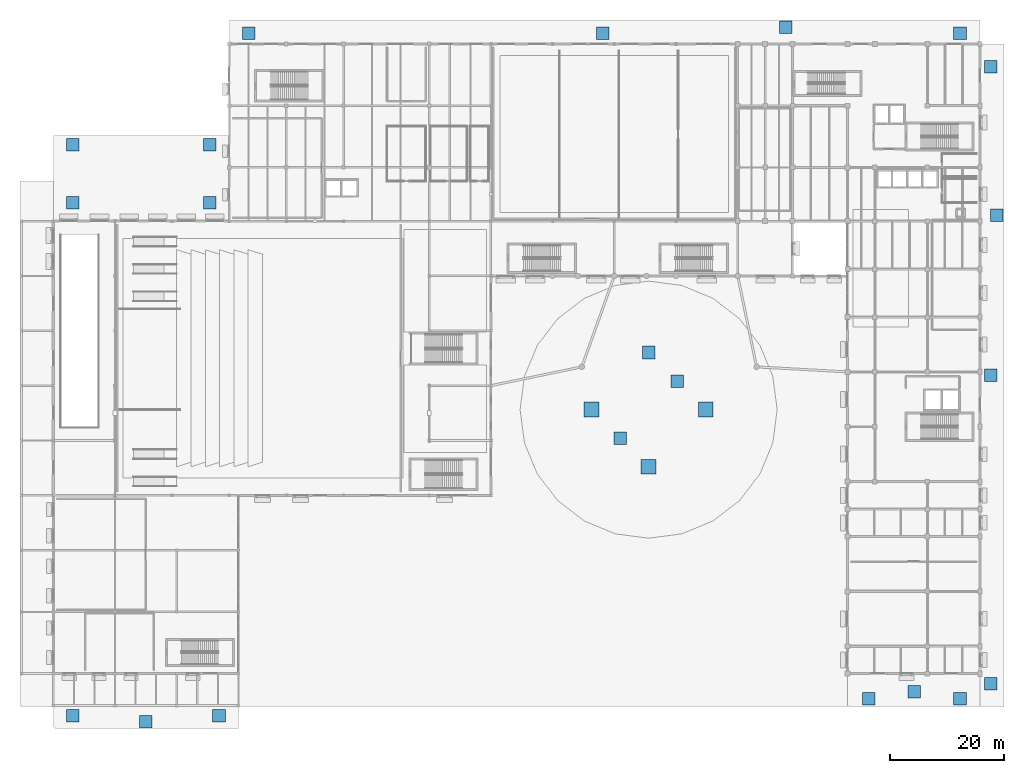
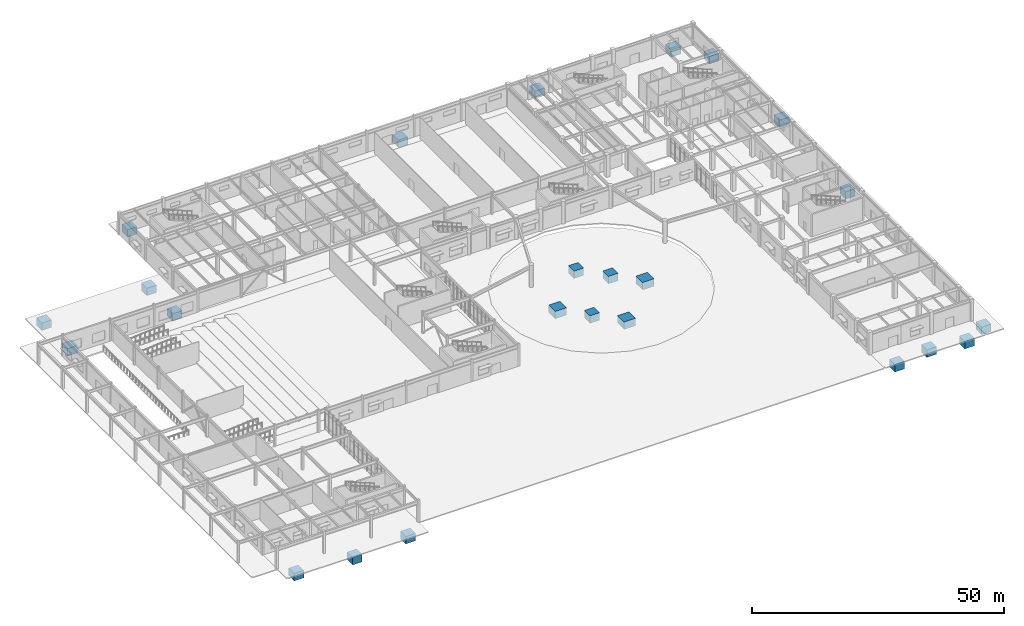
# One storey, part 1 of 54: 24 footings.
"""IFC4 building model written with IfcOpenShell, lengths in metres."""

from ifc_helpers import new_model, si_unit, direction, frame, origin, origin_2d, place, context, subcontext, project, spatial, rectangle, extrude, material, type_object, element, save


model = new_model("IFC4")

# Units and contexts
model_context = context("Model", 3, precision=1e-05, world=origin(), true_north=direction((0.0, 1.0)))
body_context = subcontext(model_context, "Body", "Model", "MODEL_VIEW")
ifc_project = project(units=[si_unit("LENGTHUNIT", "METRE"), si_unit("AREAUNIT", "SQUARE_METRE"), si_unit("VOLUMEUNIT", "CUBIC_METRE"), si_unit("PLANEANGLEUNIT", "RADIAN"), si_unit("MASSUNIT", "GRAM", prefix="KILO")], contexts=[model_context])

# Site, building, storey
site_placement = place(None, origin())
site = spatial("IfcSite", under=ifc_project, at=site_placement, CompositionType="ELEMENT")
building_placement = place(site_placement, origin())
building = spatial("IfcBuilding", under=site, at=building_placement, Name="Veldera Park Congress Hotel", CompositionType="ELEMENT")
storey_placement = place(building_placement, origin())
storey = spatial("IfcBuildingStorey", under=building, at=storey_placement, Name="L00", CompositionType="ELEMENT", Elevation=0.0)

# Footings
ifc_material = material(Name="Concrete f'c 40 MPa (5,800 psi)", Category="concrete")
footing_type_1 = type_object("IfcFootingType", Name="PAD-220", PredefinedType="PAD_FOOTING", material=ifc_material)
for number, where, z_axis, x_axis, name in (
    (1, (26.0, 4.0, -2.7001953125), (0.0, 0.0, 1.0), (1.0, 0.0, 0.0), "Apron/Pool Pad Footing PAD-220 4"),
    (2, (21.0, -11.0, -2.7001953125), (0.0, 0.0, 1.0), (1.0, 0.0, 0.0), "Apron/Pool Pad Footing PAD-220 5"),
    (3, (31.0, -1.0, -2.7001953125), (0.0, 0.0, 1.0), (1.0, 0.0, 0.0), "Apron/Pool Pad Footing PAD-220 6"),
    (4, (64.5, -56.60009765625, -2.0498046875), (0.0, 0.0, 1.0), (1.0, 0.0, 0.0), "Apron/Pool Pad Footing PAD-220 7"),
    (5, (80.5, -56.60009765625, -2.0498046875), (0.0, 0.0, 1.0), (1.0, 0.0, 0.0), "Apron/Pool Pad Footing PAD-220 8"),
    (6, (72.5, -55.39990234375, -2.0498046875), (0.0, 0.0, 1.0), (1.0, 0.0, 0.0), "Apron/Pool Pad Footing PAD-220 9"),
    (7, (-44.0, 59.85009765625, -2.0498046875), (0.0, 0.0, 1.0), (1.0, 0.0, 0.0), "Apron/Pool Pad Footing PAD-220 10"),
    (8, (18.0, 59.85009765625, -2.0498046875), (0.0, 0.0, 1.0), (1.0, 0.0, 0.0), "Apron/Pool Pad Footing PAD-220 11"),
    (9, (80.5, 59.85009765625, -2.0498046875), (0.0, 0.0, 1.0), (1.0, 0.0, 0.0), "Apron/Pool Pad Footing PAD-220 12"),
    (10, (50.0, 60.949951171875, -2.0498046875), (0.0, 0.0, 1.0), (1.0, 0.0, 0.0), "Apron/Pool Pad Footing PAD-220 13"),
    (11, (85.85009765625, -54.0, -2.0498046875), (0.0, 0.0, 1.0), (1.0, 0.0, 0.0), "Apron/Pool Pad Footing PAD-220 14"),
    (12, (85.85009765625, 0.0, -2.0498046875), (0.0, 0.0, 1.0), (1.0, 0.0, 0.0), "Apron/Pool Pad Footing PAD-220 15"),
    (13, (86.949951171875, 28.0, -2.0498046875), (0.0, 0.0, 1.0), (1.0, 0.0, 0.0), "Apron/Pool Pad Footing PAD-220 16"),
    (14, (85.85009765625, 54.0, -2.0498046875), (0.0, 0.0, 1.0), (1.0, 0.0, 0.0), "Apron/Pool Pad Footing PAD-220 17"),
    (15, (-74.800048828125, 30.199951171875, -2.0498046875), (0.0, 0.0, 1.0), (1.0, 0.0, 0.0), "Apron/Pool Pad Footing PAD-220 18"),
    (16, (-50.800048828125, 30.199951171875, -2.0498046875), (0.0, 0.0, 1.0), (1.0, 0.0, 0.0), "Apron/Pool Pad Footing PAD-220 19"),
    (17, (-74.800048828125, 40.39990234375, -2.0498046875), (0.0, 0.0, 1.0), (1.0, 0.0, 0.0), "Apron/Pool Pad Footing PAD-220 20"),
    (18, (-50.800048828125, 40.39990234375, -2.0498046875), (0.0, 0.0, 1.0), (1.0, 0.0, 0.0), "Apron/Pool Pad Footing PAD-220 21"),
    (19, (-74.800048828125, -59.60009765625, -2.0498046875), (0.0, 0.0, 1.0), (1.0, 0.0, 0.0), "Apron/Pool Pad Footing PAD-220 22"),
    (20, (-49.199951171875, -59.60009765625, -2.0498046875), (0.0, 0.0, 1.0), (1.0, 0.0, 0.0), "Apron/Pool Pad Footing PAD-220 23"),
    (21, (-62.0, -60.60009765625, -2.0498046875), (0.0, 0.0, 1.0), (1.0, 0.0, 0.0), "Apron/Pool Pad Footing PAD-220 24"),
):
    element("IfcFooting", number, at=place(storey_placement, frame(where, z_axis=z_axis, x_axis=x_axis)), inside=storey, type_object=footing_type_1, Name=name, PredefinedType="PAD_FOOTING", context=body_context, shape_type="SweptSolid", body=[
        extrude(rectangle(XDim=2.199951171875, YDim=2.199951171875, at=origin_2d()), origin(), (0.0, 0.0, 1.0), 1.800048828125),
    ])
footing_type_2 = type_object("IfcFootingType", Name="PAD-260", PredefinedType="PAD_FOOTING", material=ifc_material)
for number, where, z_axis, x_axis, name in (
    (22, (16.0, -6.0, -2.7001953125), (0.0, 0.0, 1.0), (1.0, 0.0, 0.0), "Apron/Pool Pad Footing PAD-260 1"),
    (23, (26.0, -16.0, -2.7001953125), (0.0, 0.0, 1.0), (1.0, 0.0, 0.0), "Apron/Pool Pad Footing PAD-260 2"),
    (24, (36.0, -6.0, -2.7001953125), (0.0, 0.0, 1.0), (1.0, 0.0, 0.0), "Apron/Pool Pad Footing PAD-260 3"),
):
    element("IfcFooting", number, at=place(storey_placement, frame(where, z_axis=z_axis, x_axis=x_axis)), inside=storey, type_object=footing_type_2, Name=name, PredefinedType="PAD_FOOTING", context=body_context, shape_type="SweptSolid", body=[
        extrude(rectangle(XDim=2.60009765625, YDim=2.60009765625, at=origin_2d()), origin(), (0.0, 0.0, 1.0), 1.800048828125),
    ])

save(model, "model.ifc")
